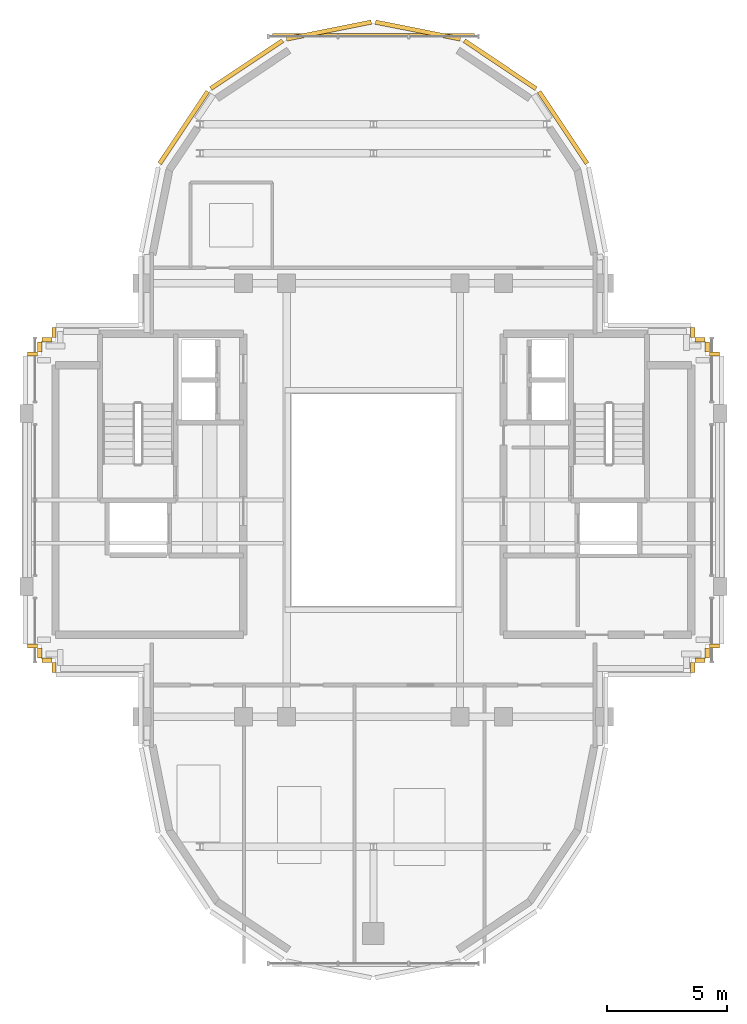
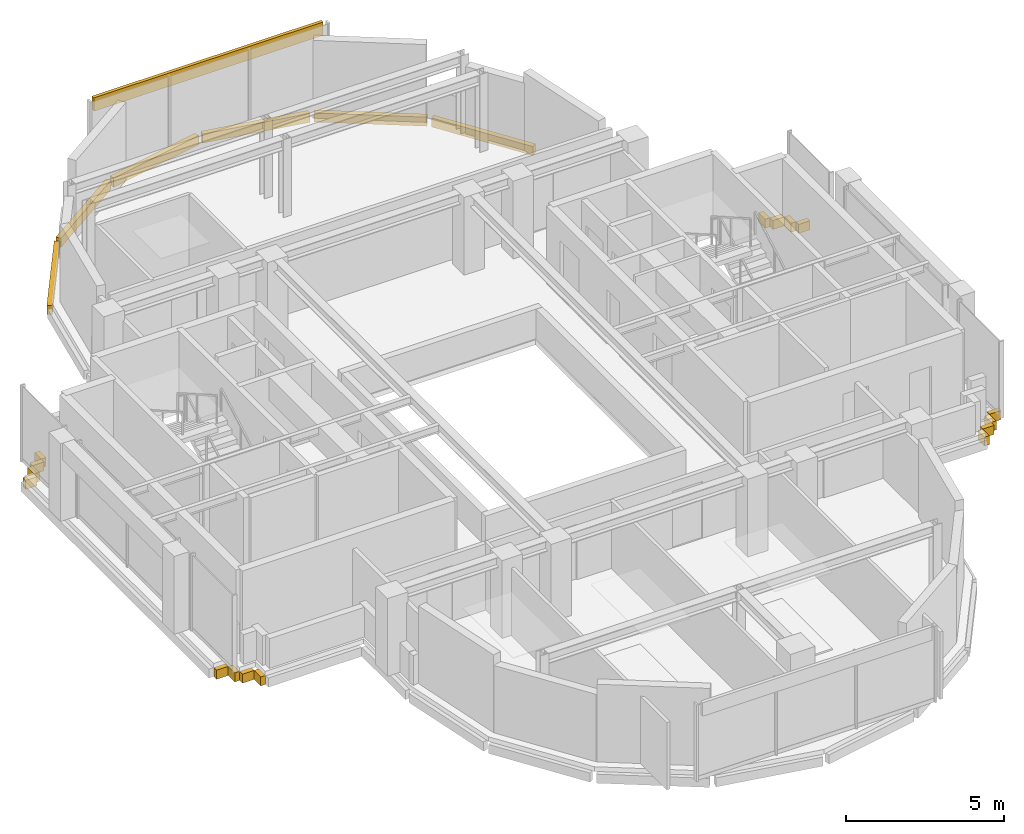
# One storey, part 10 of 10: 23 coverings.
"""IFC4 building model written with IfcOpenShell, lengths in metres."""

import ifcopenshell
import ifcopenshell.guid

model = None  # the IFC model being written
_history = None  # IfcOwnerHistory: only IFC2X3 demands one
_inside = {}  # id of a spatial element -> (the spatial element, [elements in it])
_under = {}  # id of a project, library or spatial element -> (it, [spatial elements below it])
_declared = {}  # id of a project -> (the project, [libraries it declares])
_typed = {}  # id of a type object -> (the type object, [elements of that type])
_made_of = {}  # id of a material, layer set ... -> (it, [elements and type objects made of it])


def new_model(schema):
    """Start an empty IFC model of exactly this schema.

    Asked for "IFC4X3", IfcOpenShell would pick the latest addendum, in which some entities
    have other attributes; the version numbers below select the first issue.
    IFC2X3 requires an IfcOwnerHistory on every rooted entity: one is made here for all.
    """
    global model, _history
    if schema == "IFC4X3":
        model = ifcopenshell.file(schema_version=(4, 3, 0, 0))
    else:
        model = ifcopenshell.file(schema=schema)
    _inside.clear()
    _under.clear()
    _declared.clear()
    _typed.clear()
    _made_of.clear()
    _history = None
    if model.schema == "IFC2X3":
        org = make("IfcOrganization", Name="unknown")
        user = make(
            "IfcPersonAndOrganization",
            ThePerson=make("IfcPerson", FamilyName="unknown"),
            TheOrganization=org,
        )
        app = make(
            "IfcApplication",
            ApplicationDeveloper=org,
            Version="unknown",
            ApplicationFullName="unknown",
            ApplicationIdentifier="unknown",
        )
        _history = make(
            "IfcOwnerHistory",
            OwningUser=user,
            OwningApplication=app,
            ChangeAction="ADDED",
            CreationDate=0,
        )
    return model


def make(cls, **values):
    """One entity of the class cls with the attributes given. An attribute that is None is left unset."""
    return model.create_entity(
        cls, **{name: value for name, value in values.items() if value is not None}
    )


def rooted(cls, **values):
    """An entity with a GlobalId (a new one), such as an element, a storey or a relation."""
    return make(cls, GlobalId=ifcopenshell.guid.new(), OwnerHistory=_history, **values)


def si_unit(unit_type, name, prefix=None):
    """IfcSIUnit, for example si_unit("LENGTHUNIT", "METRE", prefix="MILLI")."""
    return make("IfcSIUnit", UnitType=unit_type, Prefix=prefix, Name=name)


def assignment(units):
    """IfcUnitAssignment: the units of a project."""
    return None if units is None else make("IfcUnitAssignment", Units=units)


def point(xyz):
    """IfcCartesianPoint."""
    return None if xyz is None else make("IfcCartesianPoint", Coordinates=xyz)


def direction(xyz):
    """IfcDirection."""
    return None if xyz is None else make("IfcDirection", DirectionRatios=xyz)


def frame(location, z_axis=None, x_axis=None):
    """IfcAxis2Placement3D, a coordinate frame: its origin and axes. An axis left out is left unset."""
    return make(
        "IfcAxis2Placement3D",
        Location=point(location),
        Axis=direction(z_axis),
        RefDirection=direction(x_axis),
    )


def frame_2d(location, x_axis=None):
    """IfcAxis2Placement2D, a coordinate frame in the plane: its origin and x axis."""
    return make(
        "IfcAxis2Placement2D", Location=point(location), RefDirection=direction(x_axis)
    )


def origin():
    """The frame at (0, 0, 0) with its axes left unset."""
    return frame((0.0, 0.0, 0.0))


def origin_2d():
    """The frame at (0, 0) in the plane with its x axis left unset."""
    return frame_2d((0.0, 0.0))


def place(relative_to, where):
    """IfcLocalPlacement: puts the frame where relative to a parent placement (None: the world)."""
    return make(
        "IfcLocalPlacement", PlacementRelTo=relative_to, RelativePlacement=where
    )


def context(
    kind, dimensions, precision=None, world=None, true_north=None, identifier=None
):
    """IfcGeometricRepresentationContext, for example the 3D "Model" context."""
    return make(
        "IfcGeometricRepresentationContext",
        ContextIdentifier=identifier,
        ContextType=kind,
        CoordinateSpaceDimension=dimensions,
        Precision=precision,
        WorldCoordinateSystem=world,
        TrueNorth=true_north,
    )


def subcontext(parent, identifier, kind, view, scale=None):
    """IfcGeometricRepresentationSubContext, for example "Body" below "Model"."""
    return make(
        "IfcGeometricRepresentationSubContext",
        ContextIdentifier=identifier,
        ContextType=kind,
        ParentContext=parent,
        TargetScale=scale,
        TargetView=view,
    )


def project(units=None, contexts=None):
    """IfcProject with its units and contexts."""
    return rooted(
        "IfcProject",
        Name="project",
        RepresentationContexts=contexts,
        UnitsInContext=assignment(units),
    )


def spatial(cls, under=None, at=None, **own):
    """A site, building, storey or space (cls), placed at a placement, below another one or the project."""
    s = rooted(cls, ObjectPlacement=at, **own)
    if under is not None:
        _under.setdefault(under.id(), (under, []))[1].append(s)
    return s


def profile(cls, at=None, kind="AREA", **sizes):
    """A parametric profile (cls). Its sizes go by their IFC names, for example OverallWidth=200.0."""
    return make(cls, ProfileType=kind, Position=at, **sizes)


def rectangle(**sizes):
    """IfcRectangleProfileDef."""
    return profile("IfcRectangleProfileDef", **sizes)


def extrude(swept, where, along, depth):
    """IfcExtrudedAreaSolid: the profile swept, set in the frame where, extruded along a direction by depth."""
    return make(
        "IfcExtrudedAreaSolid",
        SweptArea=swept,
        Position=where,
        ExtrudedDirection=direction(along),
        Depth=depth,
    )


def shape(context_of_items, identifier, shape_type, items):
    """IfcShapeRepresentation: the items that make up one representation, for example the "Body"."""
    return make(
        "IfcShapeRepresentation",
        ContextOfItems=context_of_items,
        RepresentationIdentifier=identifier,
        RepresentationType=shape_type,
        Items=items,
    )


def source(mapping_origin, context_of_items, identifier, shape_type, items):
    """IfcRepresentationMap: a shape defined once, which mapped items show again and again."""
    return make(
        "IfcRepresentationMap",
        MappingOrigin=mapping_origin,
        MappedRepresentation=shape(context_of_items, identifier, shape_type, items),
    )


def transform(
    local_origin,
    x_axis=None,
    y_axis=None,
    z_axis=None,
    scale=None,
    scale2=None,
    scale3=None,
    uniform=True,
):
    """IfcCartesianTransformationOperator3D, or its non-uniform kind. x_axis, y_axis, z_axis: its Axis1, 2, 3."""
    if uniform:
        return make(
            "IfcCartesianTransformationOperator3D",
            Axis1=direction(x_axis),
            Axis2=direction(y_axis),
            LocalOrigin=point(local_origin),
            Scale=scale,
            Axis3=direction(z_axis),
        )
    return make(
        "IfcCartesianTransformationOperator3DnonUniform",
        Axis1=direction(x_axis),
        Axis2=direction(y_axis),
        LocalOrigin=point(local_origin),
        Scale=scale,
        Axis3=direction(z_axis),
        Scale2=scale2,
        Scale3=scale3,
    )


def mapped(mapping_source, mapping_target):
    """IfcMappedItem: shows the shape of a source again, moved by a transform."""
    return make(
        "IfcMappedItem", MappingSource=mapping_source, MappingTarget=mapping_target
    )


def material(Name=None, Category=None):
    """IfcMaterial."""
    return make("IfcMaterial", Name=Name, Category=Category)


def layer(
    of_material, thickness, ventilated=None, Name=None, Category=None, Priority=None
):
    """IfcMaterialLayer: one layer of a wall or slab, of a material (None: an air gap)."""
    return make(
        "IfcMaterialLayer",
        Material=of_material,
        LayerThickness=thickness,
        IsVentilated=ventilated,
        Name=Name,
        Category=Category,
        Priority=Priority,
    )


def layer_set(layers, Name=None):
    """IfcMaterialLayerSet."""
    return make("IfcMaterialLayerSet", MaterialLayers=layers, LayerSetName=Name)


def made_of(thing, what):
    """Note that an element or type object is made of a material, layer set ...; save() writes the relation."""
    if what is not None:
        _made_of.setdefault(what.id(), (what, []))[1].append(thing)
    return thing


def type_object(cls, material=None, **own):
    """A type object (cls), such as IfcWallType, which elements share."""
    return made_of(rooted(cls, **own), material)


def element(
    cls,
    number,
    at=None,
    inside=None,
    cuts=None,
    type_object=None,
    material=None,
    context=None,
    identifier="Body",
    shape_type=None,
    held_by="IfcProductDefinitionShape",
    body=None,
    shapes=None,
    **own,
):
    """One element of the class cls, such as IfcWall. Its Tag is "e" and its number.

    at: its placement. inside: the storey or other place that contains it. cuts: it is an
    opening in that element (IfcRelVoidsElement). A single representation is given by context,
    identifier, shape_type and body (its items); several are given by shapes. held_by: the class
    of the entity that holds the representations. save() writes the other relations.
    """
    e = rooted(cls, Tag="e%d" % number, ObjectPlacement=at, **own)
    if body is not None:
        shapes = [shape(context, identifier, shape_type, body)]
    if shapes is not None:
        e.Representation = make(held_by, Representations=shapes)
    if inside is not None:
        _inside.setdefault(inside.id(), (inside, []))[1].append(e)
    if cuts is not None:
        rooted(
            "IfcRelVoidsElement", RelatingBuildingElement=cuts, RelatedOpeningElement=e
        )
    if type_object is not None:
        _typed.setdefault(type_object.id(), (type_object, []))[1].append(e)
    return made_of(e, material)


def aggregate(whole, parts):
    """IfcRelAggregates: a whole, such as a stair, and the parts it consists of."""
    return rooted("IfcRelAggregates", RelatingObject=whole, RelatedObjects=parts)


def save(model, path):
    """Write the relations noted so far, then the file.

    IfcRelAggregates (storeys below a building ...), IfcRelContainedInSpatialStructure (elements
    in a storey), IfcRelDefinesByType, IfcRelAssociatesMaterial and IfcRelDeclares: one each for
    every whole, place, type object, material and project.
    """
    for whole, parts in _under.values():
        aggregate(whole, parts)
    for where, things in _inside.values():
        rooted(
            "IfcRelContainedInSpatialStructure",
            RelatedElements=things,
            RelatingStructure=where,
        )
    for kind, things in _typed.values():
        rooted("IfcRelDefinesByType", RelatedObjects=things, RelatingType=kind)
    for what, things in _made_of.values():
        rooted("IfcRelAssociatesMaterial", RelatedObjects=things, RelatingMaterial=what)
    for by, libraries in _declared.values():
        rooted("IfcRelDeclares", RelatingContext=by, RelatedDefinitions=libraries)
    model.write(path)


model = new_model("IFC4")

# Units and contexts
model_context = context("Model", 3, precision=1e-05, world=origin(), true_north=direction((0.0, 1.0)))
body_context = subcontext(model_context, "Body", "Model", "MODEL_VIEW")
ifc_project = project(units=[si_unit("LENGTHUNIT", "METRE"), si_unit("AREAUNIT", "SQUARE_METRE"), si_unit("VOLUMEUNIT", "CUBIC_METRE"), si_unit("PLANEANGLEUNIT", "RADIAN"), si_unit("MASSUNIT", "GRAM", prefix="KILO")], contexts=[model_context])

# Site, building, storey
site_placement = place(None, origin())
site = spatial("IfcSite", under=ifc_project, at=site_placement, CompositionType="ELEMENT")
building_placement = place(site_placement, origin())
building = spatial("IfcBuilding", under=site, at=building_placement, Name="Keilestroom Media Tower", CompositionType="ELEMENT")
storey_placement = place(building_placement, frame((0.0, 0.0, 262.0)))
storey = spatial("IfcBuildingStorey", under=building, at=storey_placement, Name="L73", CompositionType="ELEMENT", Elevation=262.0)

# Coverings
ifc_material = material(Name="Precast concrete C40/50", Category="concrete")
ifc_layer = layer(ifc_material, 0.1201171875)
ifc_layer_set = layer_set([ifc_layer], Name="Precast concrete C40/50")
covering_type = type_object("IfcCoveringType", Name="Exterior-Precast-Spandrel-Cladding-Panel-120", PredefinedType="CLADDING", material=ifc_layer_set)
shared_shape_1 = source(origin(), body_context, "Body", "SweptSolid", [
    extrude(rectangle(XDim=8.39990234375, YDim=0.1201171875, at=origin_2d()), origin(), (0.0, 0.0, 1.0), 0.52001953125),
])
covering_placement = place(storey_placement, frame((0.0, 19.320068359375, 2.5), z_axis=(0.0, 0.0, 1.0), x_axis=(1.0, 0.0, 0.0)))
element("IfcCovering", 1, at=covering_placement, inside=storey, type_object=covering_type, Name="L73 Precast Spandrel Cladding N", PredefinedType="CLADDING", context=body_context, shape_type="MappedRepresentation", body=[
    mapped(shared_shape_1, transform((0.0, 0.0, 0.0), x_axis=(1.0, 0.0, 0.0), y_axis=(0.0, 1.0, 0.0), z_axis=(0.0, 0.0, 1.0), scale=1.0)),
])
shared_shape_2 = source(origin(), body_context, "Body", "SweptSolid", [
    extrude(rectangle(XDim=3.589599609375, YDim=0.179931640625, at=origin_2d()), origin(), (0.0, 0.0, 1.0), 0.35009765625),
])
for number, where, z_axis, x_axis, name in (
    (2, (-7.878662109375, 15.46435546875, -0.530029296875), (0.0, 0.0, 1.0), (0.555574586577, 0.831466703332, 0.0), "L73 Precast Slab-Edge Fascia Cornice 29"),
    (3, (-5.264404296875, 18.07861328125, -0.530029296875), (0.0, 0.0, 1.0), (0.831466703332, 0.555574586577, 0.0), "L73 Precast Slab-Edge Fascia Cornice 30"),
    (4, (-1.8486328125, 19.493408203125, -0.530029296875), (0.0, 0.0, 1.0), (0.980783577882, 0.195098880975, 0.0), "L73 Precast Slab-Edge Fascia Cornice 31"),
    (5, (1.8486328125, 19.493408203125, -0.530029296875), (0.0, 0.0, 1.0), (0.980783577882, -0.195098880975, 0.0), "L73 Precast Slab-Edge Fascia Cornice 32"),
    (6, (5.264404296875, 18.07861328125, -0.530029296875), (0.0, 0.0, 1.0), (0.831466703332, -0.555574586577, 0.0), "L73 Precast Slab-Edge Fascia Cornice 33"),
    (7, (7.878662109375, 15.46435546875, -0.530029296875), (0.0, 0.0, 1.0), (0.555574586577, -0.831466703332, 0.0), "L73 Precast Slab-Edge Fascia Cornice 34"),
):
    element("IfcCovering", number, at=place(storey_placement, frame(where, z_axis=z_axis, x_axis=x_axis)), inside=storey, type_object=covering_type, Name=name, PredefinedType="CLADDING", context=body_context, shape_type="MappedRepresentation", body=[
        mapped(shared_shape_2, transform((0.0, 0.0, 0.0), x_axis=(1.0, 0.0, 0.0), y_axis=(0.0, 1.0, 0.0), z_axis=(0.0, 0.0, 1.0), scale=1.0)),
    ])
shared_shape_3 = source(origin(), body_context, "Body", "SweptSolid", [
    extrude(rectangle(XDim=0.419921875, YDim=0.179931640625, at=origin_2d()), origin(), (0.0, 0.0, 1.0), 0.35009765625),
])
for number, where, z_axis, x_axis, name in (
    (8, (14.159912109375, -6.06005859375, -0.530029296875), (0.0, 0.0, 1.0), (-1.0, 0.0, 0.0), "L73 Precast Slab-Edge Fascia Cornice 01"),
    (9, (13.860107421875, -6.360107421875, -0.530029296875), (0.0, 0.0, 1.0), (0.0, -1.0, 0.0), "L73 Precast Slab-Edge Fascia Cornice 02"),
    (10, (13.56005859375, -6.659912109375, -0.530029296875), (0.0, 0.0, 1.0), (-1.0, 0.0, 0.0), "L73 Precast Slab-Edge Fascia Cornice 03"),
    (11, (13.260009765625, -6.9599609375, -0.530029296875), (0.0, 0.0, 1.0), (0.0, -1.0, 0.0), "L73 Precast Slab-Edge Fascia Cornice 04"),
    (12, (-13.260009765625, -6.9599609375, -0.530029296875), (0.0, 0.0, 1.0), (0.0, 1.0, 0.0), "L73 Precast Slab-Edge Fascia Cornice 17"),
    (13, (-13.56005859375, -6.659912109375, -0.530029296875), (0.0, 0.0, 1.0), (-1.0, 0.0, 0.0), "L73 Precast Slab-Edge Fascia Cornice 18"),
    (14, (-13.860107421875, -6.360107421875, -0.530029296875), (0.0, 0.0, 1.0), (0.0, 1.0, 0.0), "L73 Precast Slab-Edge Fascia Cornice 19"),
    (15, (-14.159912109375, -6.06005859375, -0.530029296875), (0.0, 0.0, 1.0), (-1.0, 0.0, 0.0), "L73 Precast Slab-Edge Fascia Cornice 20"),
    (16, (-14.159912109375, 6.06005859375, -0.530029296875), (0.0, 0.0, 1.0), (1.0, 0.0, 0.0), "L73 Precast Slab-Edge Fascia Cornice 22"),
    (17, (-13.860107421875, 6.360107421875, -0.530029296875), (0.0, 0.0, 1.0), (0.0, 1.0, 0.0), "L73 Precast Slab-Edge Fascia Cornice 23"),
    (18, (-13.56005859375, 6.659912109375, -0.530029296875), (0.0, 0.0, 1.0), (1.0, 0.0, 0.0), "L73 Precast Slab-Edge Fascia Cornice 24"),
    (19, (-13.260009765625, 6.9599609375, -0.530029296875), (0.0, 0.0, 1.0), (0.0, 1.0, 0.0), "L73 Precast Slab-Edge Fascia Cornice 25"),
    (20, (13.260009765625, 6.9599609375, -0.530029296875), (0.0, 0.0, 1.0), (0.0, -1.0, 0.0), "L73 Precast Slab-Edge Fascia Cornice 38"),
    (21, (13.56005859375, 6.659912109375, -0.530029296875), (0.0, 0.0, 1.0), (1.0, 0.0, 0.0), "L73 Precast Slab-Edge Fascia Cornice 39"),
    (22, (13.860107421875, 6.360107421875, -0.530029296875), (0.0, 0.0, 1.0), (0.0, -1.0, 0.0), "L73 Precast Slab-Edge Fascia Cornice 40"),
    (23, (14.159912109375, 6.06005859375, -0.530029296875), (0.0, 0.0, 1.0), (1.0, 0.0, 0.0), "L73 Precast Slab-Edge Fascia Cornice 41"),
):
    element("IfcCovering", number, at=place(storey_placement, frame(where, z_axis=z_axis, x_axis=x_axis)), inside=storey, type_object=covering_type, Name=name, PredefinedType="CLADDING", context=body_context, shape_type="MappedRepresentation", body=[
        mapped(shared_shape_3, transform((0.0, 0.0, 0.0), x_axis=(1.0, 0.0, 0.0), y_axis=(0.0, 1.0, 0.0), z_axis=(0.0, 0.0, 1.0), scale=1.0)),
    ])

save(model, "model.ifc")
